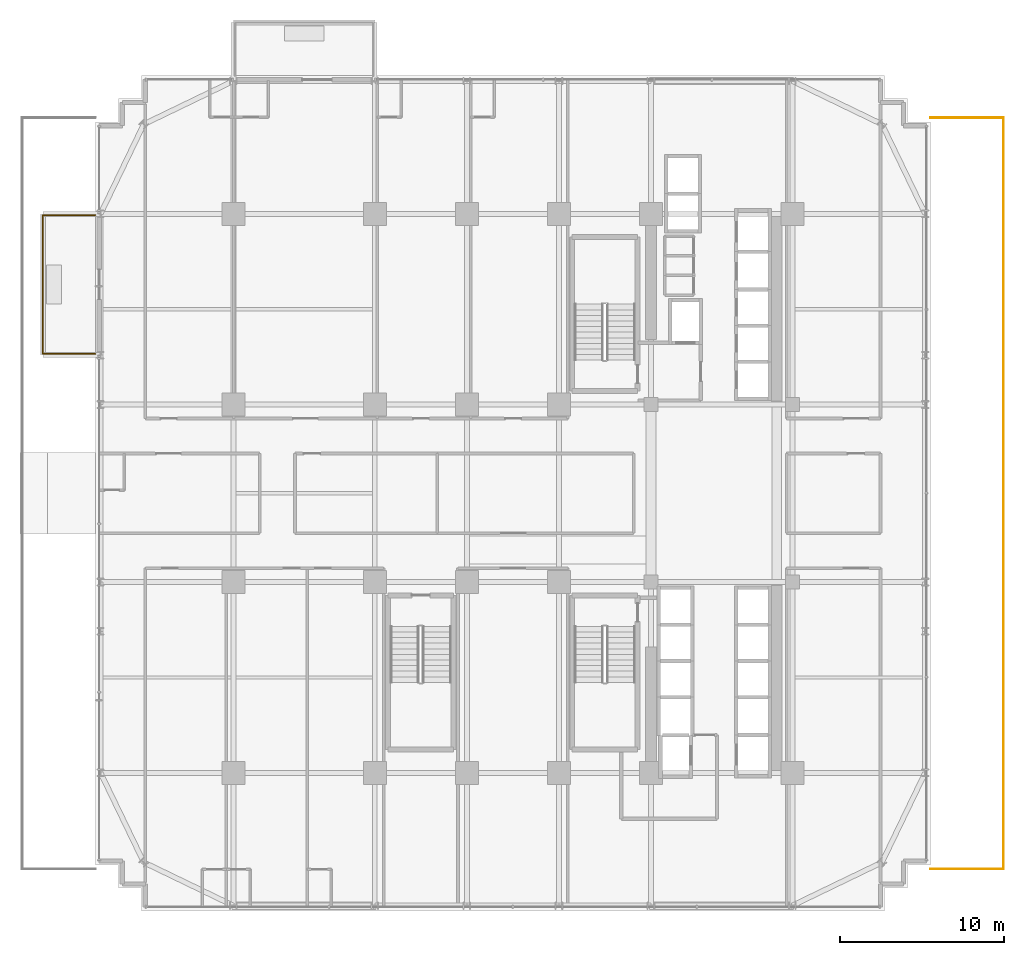
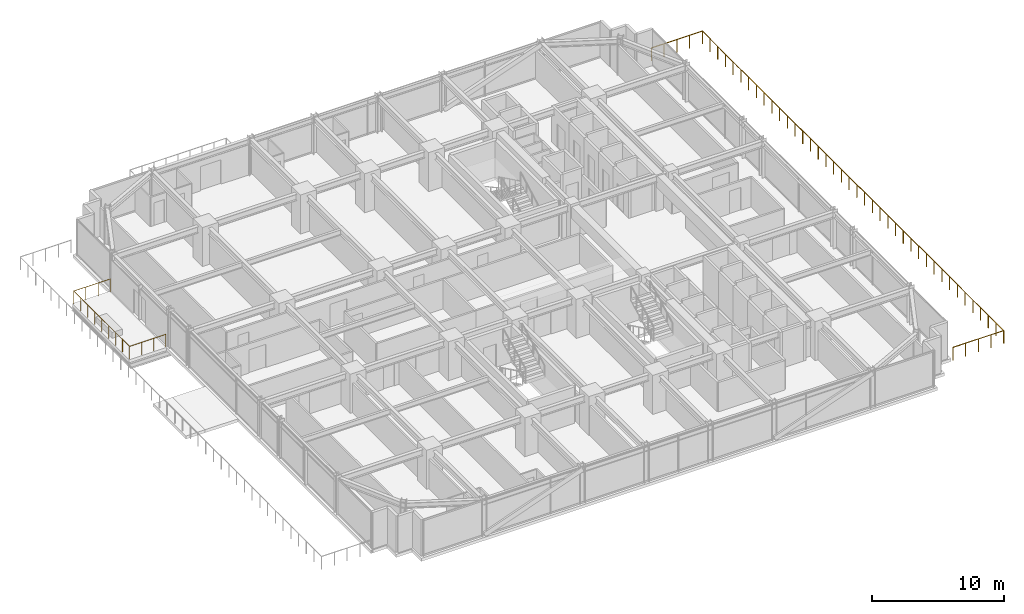
# One storey, part 37 of 39: 2 railings.
"""IFC4 building model written with IfcOpenShell, lengths in metres."""

import ifcopenshell
import ifcopenshell.guid

model = None  # the IFC model being written
_history = None  # IfcOwnerHistory: only IFC2X3 demands one
_inside = {}  # id of a spatial element -> (the spatial element, [elements in it])
_under = {}  # id of a project, library or spatial element -> (it, [spatial elements below it])
_declared = {}  # id of a project -> (the project, [libraries it declares])
_typed = {}  # id of a type object -> (the type object, [elements of that type])
_made_of = {}  # id of a material, layer set ... -> (it, [elements and type objects made of it])


def new_model(schema):
    """Start an empty IFC model of exactly this schema.

    Asked for "IFC4X3", IfcOpenShell would pick the latest addendum, in which some entities
    have other attributes; the version numbers below select the first issue.
    IFC2X3 requires an IfcOwnerHistory on every rooted entity: one is made here for all.
    """
    global model, _history
    if schema == "IFC4X3":
        model = ifcopenshell.file(schema_version=(4, 3, 0, 0))
    else:
        model = ifcopenshell.file(schema=schema)
    _inside.clear()
    _under.clear()
    _declared.clear()
    _typed.clear()
    _made_of.clear()
    _history = None
    if model.schema == "IFC2X3":
        org = make("IfcOrganization", Name="unknown")
        user = make(
            "IfcPersonAndOrganization",
            ThePerson=make("IfcPerson", FamilyName="unknown"),
            TheOrganization=org,
        )
        app = make(
            "IfcApplication",
            ApplicationDeveloper=org,
            Version="unknown",
            ApplicationFullName="unknown",
            ApplicationIdentifier="unknown",
        )
        _history = make(
            "IfcOwnerHistory",
            OwningUser=user,
            OwningApplication=app,
            ChangeAction="ADDED",
            CreationDate=0,
        )
    return model


def make(cls, **values):
    """One entity of the class cls with the attributes given. An attribute that is None is left unset."""
    return model.create_entity(
        cls, **{name: value for name, value in values.items() if value is not None}
    )


def rooted(cls, **values):
    """An entity with a GlobalId (a new one), such as an element, a storey or a relation."""
    return make(cls, GlobalId=ifcopenshell.guid.new(), OwnerHistory=_history, **values)


def si_unit(unit_type, name, prefix=None):
    """IfcSIUnit, for example si_unit("LENGTHUNIT", "METRE", prefix="MILLI")."""
    return make("IfcSIUnit", UnitType=unit_type, Prefix=prefix, Name=name)


def assignment(units):
    """IfcUnitAssignment: the units of a project."""
    return None if units is None else make("IfcUnitAssignment", Units=units)


def point(xyz):
    """IfcCartesianPoint."""
    return None if xyz is None else make("IfcCartesianPoint", Coordinates=xyz)


def direction(xyz):
    """IfcDirection."""
    return None if xyz is None else make("IfcDirection", DirectionRatios=xyz)


def frame(location, z_axis=None, x_axis=None):
    """IfcAxis2Placement3D, a coordinate frame: its origin and axes. An axis left out is left unset."""
    return make(
        "IfcAxis2Placement3D",
        Location=point(location),
        Axis=direction(z_axis),
        RefDirection=direction(x_axis),
    )


def frame_2d(location, x_axis=None):
    """IfcAxis2Placement2D, a coordinate frame in the plane: its origin and x axis."""
    return make(
        "IfcAxis2Placement2D", Location=point(location), RefDirection=direction(x_axis)
    )


def origin():
    """The frame at (0, 0, 0) with its axes left unset."""
    return frame((0.0, 0.0, 0.0))


def origin_2d():
    """The frame at (0, 0) in the plane with its x axis left unset."""
    return frame_2d((0.0, 0.0))


def place(relative_to, where):
    """IfcLocalPlacement: puts the frame where relative to a parent placement (None: the world)."""
    return make(
        "IfcLocalPlacement", PlacementRelTo=relative_to, RelativePlacement=where
    )


def context(
    kind, dimensions, precision=None, world=None, true_north=None, identifier=None
):
    """IfcGeometricRepresentationContext, for example the 3D "Model" context."""
    return make(
        "IfcGeometricRepresentationContext",
        ContextIdentifier=identifier,
        ContextType=kind,
        CoordinateSpaceDimension=dimensions,
        Precision=precision,
        WorldCoordinateSystem=world,
        TrueNorth=true_north,
    )


def subcontext(parent, identifier, kind, view, scale=None):
    """IfcGeometricRepresentationSubContext, for example "Body" below "Model"."""
    return make(
        "IfcGeometricRepresentationSubContext",
        ContextIdentifier=identifier,
        ContextType=kind,
        ParentContext=parent,
        TargetScale=scale,
        TargetView=view,
    )


def project(units=None, contexts=None):
    """IfcProject with its units and contexts."""
    return rooted(
        "IfcProject",
        Name="project",
        RepresentationContexts=contexts,
        UnitsInContext=assignment(units),
    )


def spatial(cls, under=None, at=None, **own):
    """A site, building, storey or space (cls), placed at a placement, below another one or the project."""
    s = rooted(cls, ObjectPlacement=at, **own)
    if under is not None:
        _under.setdefault(under.id(), (under, []))[1].append(s)
    return s


def profile(cls, at=None, kind="AREA", **sizes):
    """A parametric profile (cls). Its sizes go by their IFC names, for example OverallWidth=200.0."""
    return make(cls, ProfileType=kind, Position=at, **sizes)


def circle(**sizes):
    """IfcCircleProfileDef."""
    return profile("IfcCircleProfileDef", **sizes)


def extrude(swept, where, along, depth):
    """IfcExtrudedAreaSolid: the profile swept, set in the frame where, extruded along a direction by depth."""
    return make(
        "IfcExtrudedAreaSolid",
        SweptArea=swept,
        Position=where,
        ExtrudedDirection=direction(along),
        Depth=depth,
    )


def shape(context_of_items, identifier, shape_type, items):
    """IfcShapeRepresentation: the items that make up one representation, for example the "Body"."""
    return make(
        "IfcShapeRepresentation",
        ContextOfItems=context_of_items,
        RepresentationIdentifier=identifier,
        RepresentationType=shape_type,
        Items=items,
    )


def material(Name=None, Category=None):
    """IfcMaterial."""
    return make("IfcMaterial", Name=Name, Category=Category)


def made_of(thing, what):
    """Note that an element or type object is made of a material, layer set ...; save() writes the relation."""
    if what is not None:
        _made_of.setdefault(what.id(), (what, []))[1].append(thing)
    return thing


def type_object(cls, material=None, **own):
    """A type object (cls), such as IfcWallType, which elements share."""
    return made_of(rooted(cls, **own), material)


def element(
    cls,
    number,
    at=None,
    inside=None,
    cuts=None,
    type_object=None,
    material=None,
    context=None,
    identifier="Body",
    shape_type=None,
    held_by="IfcProductDefinitionShape",
    body=None,
    shapes=None,
    **own,
):
    """One element of the class cls, such as IfcWall. Its Tag is "e" and its number.

    at: its placement. inside: the storey or other place that contains it. cuts: it is an
    opening in that element (IfcRelVoidsElement). A single representation is given by context,
    identifier, shape_type and body (its items); several are given by shapes. held_by: the class
    of the entity that holds the representations. save() writes the other relations.
    """
    e = rooted(cls, Tag="e%d" % number, ObjectPlacement=at, **own)
    if body is not None:
        shapes = [shape(context, identifier, shape_type, body)]
    if shapes is not None:
        e.Representation = make(held_by, Representations=shapes)
    if inside is not None:
        _inside.setdefault(inside.id(), (inside, []))[1].append(e)
    if cuts is not None:
        rooted(
            "IfcRelVoidsElement", RelatingBuildingElement=cuts, RelatedOpeningElement=e
        )
    if type_object is not None:
        _typed.setdefault(type_object.id(), (type_object, []))[1].append(e)
    return made_of(e, material)


def aggregate(whole, parts):
    """IfcRelAggregates: a whole, such as a stair, and the parts it consists of."""
    return rooted("IfcRelAggregates", RelatingObject=whole, RelatedObjects=parts)


def save(model, path):
    """Write the relations noted so far, then the file.

    IfcRelAggregates (storeys below a building ...), IfcRelContainedInSpatialStructure (elements
    in a storey), IfcRelDefinesByType, IfcRelAssociatesMaterial and IfcRelDeclares: one each for
    every whole, place, type object, material and project.
    """
    for whole, parts in _under.values():
        aggregate(whole, parts)
    for where, things in _inside.values():
        rooted(
            "IfcRelContainedInSpatialStructure",
            RelatedElements=things,
            RelatingStructure=where,
        )
    for kind, things in _typed.values():
        rooted("IfcRelDefinesByType", RelatedObjects=things, RelatingType=kind)
    for what, things in _made_of.values():
        rooted("IfcRelAssociatesMaterial", RelatedObjects=things, RelatingMaterial=what)
    for by, libraries in _declared.values():
        rooted("IfcRelDeclares", RelatingContext=by, RelatedDefinitions=libraries)
    model.write(path)


model = new_model("IFC4")

# Units and contexts
model_context = context("Model", 3, precision=1e-05, world=origin(), true_north=direction((0.0, 1.0)))
body_context = subcontext(model_context, "Body", "Model", "MODEL_VIEW")
ifc_project = project(units=[si_unit("LENGTHUNIT", "METRE"), si_unit("AREAUNIT", "SQUARE_METRE"), si_unit("VOLUMEUNIT", "CUBIC_METRE"), si_unit("PLANEANGLEUNIT", "RADIAN"), si_unit("MASSUNIT", "GRAM", prefix="KILO")], contexts=[model_context])

# Site, building, storey
site_placement = place(None, origin())
site = spatial("IfcSite", under=ifc_project, at=site_placement, CompositionType="ELEMENT")
building_placement = place(site_placement, origin())
building = spatial("IfcBuilding", under=site, at=building_placement, Name="Nahalor Promenade Grand Hotel", CompositionType="ELEMENT")
storey_placement = place(building_placement, frame((0.0, 0.0, 32.39990234375)))
storey = spatial("IfcBuildingStorey", under=building, at=storey_placement, Name="L06", CompositionType="ELEMENT", Elevation=32.39990234375)

# Railings
ifc_material = material(Name="Anodised Bronze Aluminium EN AW-6063 T6", Category="aluminium")
railing_type = type_object("IfcRailingType", Name="Bronze Balcony Guardrail 1200 mm", PredefinedType="GUARDRAIL", material=ifc_material)
railing_1_placement = place(storey_placement, frame((-25.39990234375, 8.47998046875, 0.0)))
element("IfcRailing", 1, at=railing_1_placement, inside=storey, type_object=railing_type, Name="L06 Balcony Guardrail 2", PredefinedType="GUARDRAIL", context=body_context, shape_type="SweptSolid", body=[
    extrude(circle(Radius=0.024048, at=origin_2d()), frame((0.0, 0.0, 1.17578125), z_axis=(-1.0, 0.0, 0.0), x_axis=(0.0, -1.0, 0.0)), (0.0, 0.0, 1.0), 3.188232421875),
    extrude(circle(Radius=0.024048, at=origin_2d()), frame((-3.190185546875, 0.001953125, 1.17578125), z_axis=(0.0, 1.0, 0.0), x_axis=(-1.0, 0.0, 0.0)), (0.0, 0.0, 1.0), 8.43603515625),
    extrude(circle(Radius=0.024048, at=origin_2d()), frame((-3.188232421875, 8.43994140625, 1.17578125), z_axis=(1.0, 0.0, 0.0), x_axis=(0.0, 1.0, 0.0)), (0.0, 0.0, 1.0), 3.188232421875),
    extrude(circle(Radius=0.020996, at=origin_2d()), origin(), (0.0, 0.0, 1.0), 1.14990234375),
    extrude(circle(Radius=0.020996, at=origin_2d()), frame((-1.0634765625, 0.0, 0.0)), (0.0, 0.0, 1.0), 1.14990234375),
    extrude(circle(Radius=0.020996, at=origin_2d()), frame((-2.126708984375, 0.0, 0.0)), (0.0, 0.0, 1.0), 1.14990234375),
    extrude(circle(Radius=0.020996, at=origin_2d()), frame((-3.190185546875, 0.0, 0.0)), (0.0, 0.0, 1.0), 1.14990234375),
    extrude(circle(Radius=0.020996, at=origin_2d()), frame((-3.190185546875, 1.054931640625, 0.0)), (0.0, 0.0, 1.0), 1.14990234375),
    extrude(circle(Radius=0.020996, at=origin_2d()), frame((-3.190185546875, 2.10986328125, 0.0)), (0.0, 0.0, 1.0), 1.14990234375),
    extrude(circle(Radius=0.020996, at=origin_2d()), frame((-3.190185546875, 3.1650390625, 0.0)), (0.0, 0.0, 1.0), 1.14990234375),
    extrude(circle(Radius=0.020996, at=origin_2d()), frame((-3.190185546875, 4.219970703125, 0.0)), (0.0, 0.0, 1.0), 1.14990234375),
    extrude(circle(Radius=0.020996, at=origin_2d()), frame((-3.190185546875, 5.27490234375, 0.0)), (0.0, 0.0, 1.0), 1.14990234375),
    extrude(circle(Radius=0.020996, at=origin_2d()), frame((-3.190185546875, 6.330078125, 0.0)), (0.0, 0.0, 1.0), 1.14990234375),
    extrude(circle(Radius=0.020996, at=origin_2d()), frame((-3.190185546875, 7.385009765625, 0.0)), (0.0, 0.0, 1.0), 1.14990234375),
    extrude(circle(Radius=0.020996, at=origin_2d()), frame((-3.190185546875, 8.43994140625, 0.0)), (0.0, 0.0, 1.0), 1.14990234375),
    extrude(circle(Radius=0.020996, at=origin_2d()), frame((-2.126708984375, 8.43994140625, 0.0)), (0.0, 0.0, 1.0), 1.14990234375),
    extrude(circle(Radius=0.020996, at=origin_2d()), frame((-1.0634765625, 8.43994140625, 0.0)), (0.0, 0.0, 1.0), 1.14990234375),
    extrude(circle(Radius=0.020996, at=origin_2d()), frame((0.0, 8.43994140625, 0.0)), (0.0, 0.0, 1.0), 1.14990234375),
])
railing_2_placement = place(storey_placement, frame((25.39990234375, -22.85009765625, 0.0)))
element("IfcRailing", 2, at=railing_2_placement, inside=storey, type_object=railing_type, Name="RL-L06-SBE", PredefinedType="GUARDRAIL", context=body_context, shape_type="SweptSolid", body=[
    extrude(circle(Radius=0.024048, at=origin_2d()), frame((0.0, 0.0, 1.17578125), z_axis=(1.0, 0.0, 0.0), x_axis=(0.0, 1.0, 0.0)), (0.0, 0.0, 1.0), 4.4482421875),
    extrude(circle(Radius=0.024048, at=origin_2d()), frame((4.4501953125, 0.001953125, 1.17578125), z_axis=(0.0, 1.0, 0.0), x_axis=(-1.0, 0.0, 0.0)), (0.0, 0.0, 1.0), 45.6962890625),
    extrude(circle(Radius=0.024048, at=origin_2d()), frame((4.4482421875, 45.7001953125, 1.17578125), z_axis=(-1.0, 0.0, 0.0), x_axis=(0.0, -1.0, 0.0)), (0.0, 0.0, 1.0), 4.4482421875),
    extrude(circle(Radius=0.020996, at=origin_2d()), origin(), (0.0, 0.0, 1.0), 1.14990234375),
    extrude(circle(Radius=0.020996, at=origin_2d()), frame((1.112548828125, 0.0, 0.0)), (0.0, 0.0, 1.0), 1.14990234375),
    extrude(circle(Radius=0.020996, at=origin_2d()), frame((2.22509765625, 0.0, 0.0)), (0.0, 0.0, 1.0), 1.14990234375),
    extrude(circle(Radius=0.020996, at=origin_2d()), frame((3.337646484375, 0.0, 0.0)), (0.0, 0.0, 1.0), 1.14990234375),
    extrude(circle(Radius=0.020996, at=origin_2d()), frame((4.4501953125, 0.0, 0.0)), (0.0, 0.0, 1.0), 1.14990234375),
    extrude(circle(Radius=0.020996, at=origin_2d()), frame((4.4501953125, 1.171875, 0.0)), (0.0, 0.0, 1.0), 1.14990234375),
    extrude(circle(Radius=0.020996, at=origin_2d()), frame((4.4501953125, 2.343505859375, 0.0)), (0.0, 0.0, 1.0), 1.14990234375),
    extrude(circle(Radius=0.020996, at=origin_2d()), frame((4.4501953125, 3.515380859375, 0.0)), (0.0, 0.0, 1.0), 1.14990234375),
    extrude(circle(Radius=0.020996, at=origin_2d()), frame((4.4501953125, 4.687255859375, 0.0)), (0.0, 0.0, 1.0), 1.14990234375),
    extrude(circle(Radius=0.020996, at=origin_2d()), frame((4.4501953125, 5.85888671875, 0.0)), (0.0, 0.0, 1.0), 1.14990234375),
    extrude(circle(Radius=0.020996, at=origin_2d()), frame((4.4501953125, 7.03076171875, 0.0)), (0.0, 0.0, 1.0), 1.14990234375),
    extrude(circle(Radius=0.020996, at=origin_2d()), frame((4.4501953125, 8.20263671875, 0.0)), (0.0, 0.0, 1.0), 1.14990234375),
    extrude(circle(Radius=0.020996, at=origin_2d()), frame((4.4501953125, 9.37451171875, 0.0)), (0.0, 0.0, 1.0), 1.14990234375),
    extrude(circle(Radius=0.020996, at=origin_2d()), frame((4.4501953125, 10.546142578125, 0.0)), (0.0, 0.0, 1.0), 1.14990234375),
    extrude(circle(Radius=0.020996, at=origin_2d()), frame((4.4501953125, 11.718017578125, 0.0)), (0.0, 0.0, 1.0), 1.14990234375),
    extrude(circle(Radius=0.020996, at=origin_2d()), frame((4.4501953125, 12.889892578125, 0.0)), (0.0, 0.0, 1.0), 1.14990234375),
    extrude(circle(Radius=0.020996, at=origin_2d()), frame((4.4501953125, 14.0615234375, 0.0)), (0.0, 0.0, 1.0), 1.14990234375),
    extrude(circle(Radius=0.020996, at=origin_2d()), frame((4.4501953125, 15.2333984375, 0.0)), (0.0, 0.0, 1.0), 1.14990234375),
    extrude(circle(Radius=0.020996, at=origin_2d()), frame((4.4501953125, 16.4052734375, 0.0)), (0.0, 0.0, 1.0), 1.14990234375),
    extrude(circle(Radius=0.020996, at=origin_2d()), frame((4.4501953125, 17.576904296875, 0.0)), (0.0, 0.0, 1.0), 1.14990234375),
    extrude(circle(Radius=0.020996, at=origin_2d()), frame((4.4501953125, 18.748779296875, 0.0)), (0.0, 0.0, 1.0), 1.14990234375),
    extrude(circle(Radius=0.020996, at=origin_2d()), frame((4.4501953125, 19.920654296875, 0.0)), (0.0, 0.0, 1.0), 1.14990234375),
    extrude(circle(Radius=0.020996, at=origin_2d()), frame((4.4501953125, 21.09228515625, 0.0)), (0.0, 0.0, 1.0), 1.14990234375),
    extrude(circle(Radius=0.020996, at=origin_2d()), frame((4.4501953125, 22.26416015625, 0.0)), (0.0, 0.0, 1.0), 1.14990234375),
    extrude(circle(Radius=0.020996, at=origin_2d()), frame((4.4501953125, 23.43603515625, 0.0)), (0.0, 0.0, 1.0), 1.14990234375),
    extrude(circle(Radius=0.020996, at=origin_2d()), frame((4.4501953125, 24.60791015625, 0.0)), (0.0, 0.0, 1.0), 1.14990234375),
    extrude(circle(Radius=0.020996, at=origin_2d()), frame((4.4501953125, 25.779541015625, 0.0)), (0.0, 0.0, 1.0), 1.14990234375),
    extrude(circle(Radius=0.020996, at=origin_2d()), frame((4.4501953125, 26.951416015625, 0.0)), (0.0, 0.0, 1.0), 1.14990234375),
    extrude(circle(Radius=0.020996, at=origin_2d()), frame((4.4501953125, 28.123291015625, 0.0)), (0.0, 0.0, 1.0), 1.14990234375),
    extrude(circle(Radius=0.020996, at=origin_2d()), frame((4.4501953125, 29.294921875, 0.0)), (0.0, 0.0, 1.0), 1.14990234375),
    extrude(circle(Radius=0.020996, at=origin_2d()), frame((4.4501953125, 30.466796875, 0.0)), (0.0, 0.0, 1.0), 1.14990234375),
    extrude(circle(Radius=0.020996, at=origin_2d()), frame((4.4501953125, 31.638671875, 0.0)), (0.0, 0.0, 1.0), 1.14990234375),
    extrude(circle(Radius=0.020996, at=origin_2d()), frame((4.4501953125, 32.810302734375, 0.0)), (0.0, 0.0, 1.0), 1.14990234375),
    extrude(circle(Radius=0.020996, at=origin_2d()), frame((4.4501953125, 33.982177734375, 0.0)), (0.0, 0.0, 1.0), 1.14990234375),
    extrude(circle(Radius=0.020996, at=origin_2d()), frame((4.4501953125, 35.154052734375, 0.0)), (0.0, 0.0, 1.0), 1.14990234375),
    extrude(circle(Radius=0.020996, at=origin_2d()), frame((4.4501953125, 36.32568359375, 0.0)), (0.0, 0.0, 1.0), 1.14990234375),
    extrude(circle(Radius=0.020996, at=origin_2d()), frame((4.4501953125, 37.49755859375, 0.0)), (0.0, 0.0, 1.0), 1.14990234375),
    extrude(circle(Radius=0.020996, at=origin_2d()), frame((4.4501953125, 38.66943359375, 0.0)), (0.0, 0.0, 1.0), 1.14990234375),
    extrude(circle(Radius=0.020996, at=origin_2d()), frame((4.4501953125, 39.84130859375, 0.0)), (0.0, 0.0, 1.0), 1.14990234375),
    extrude(circle(Radius=0.020996, at=origin_2d()), frame((4.4501953125, 41.012939453125, 0.0)), (0.0, 0.0, 1.0), 1.14990234375),
    extrude(circle(Radius=0.020996, at=origin_2d()), frame((4.4501953125, 42.184814453125, 0.0)), (0.0, 0.0, 1.0), 1.14990234375),
    extrude(circle(Radius=0.020996, at=origin_2d()), frame((4.4501953125, 43.356689453125, 0.0)), (0.0, 0.0, 1.0), 1.14990234375),
    extrude(circle(Radius=0.020996, at=origin_2d()), frame((4.4501953125, 44.5283203125, 0.0)), (0.0, 0.0, 1.0), 1.14990234375),
    extrude(circle(Radius=0.020996, at=origin_2d()), frame((4.4501953125, 45.7001953125, 0.0)), (0.0, 0.0, 1.0), 1.14990234375),
    extrude(circle(Radius=0.020996, at=origin_2d()), frame((3.337646484375, 45.7001953125, 0.0)), (0.0, 0.0, 1.0), 1.14990234375),
    extrude(circle(Radius=0.020996, at=origin_2d()), frame((2.22509765625, 45.7001953125, 0.0)), (0.0, 0.0, 1.0), 1.14990234375),
    extrude(circle(Radius=0.020996, at=origin_2d()), frame((1.112548828125, 45.7001953125, 0.0)), (0.0, 0.0, 1.0), 1.14990234375),
    extrude(circle(Radius=0.020996, at=origin_2d()), frame((0.0, 45.7001953125, 0.0)), (0.0, 0.0, 1.0), 1.14990234375),
])

save(model, "model.ifc")
